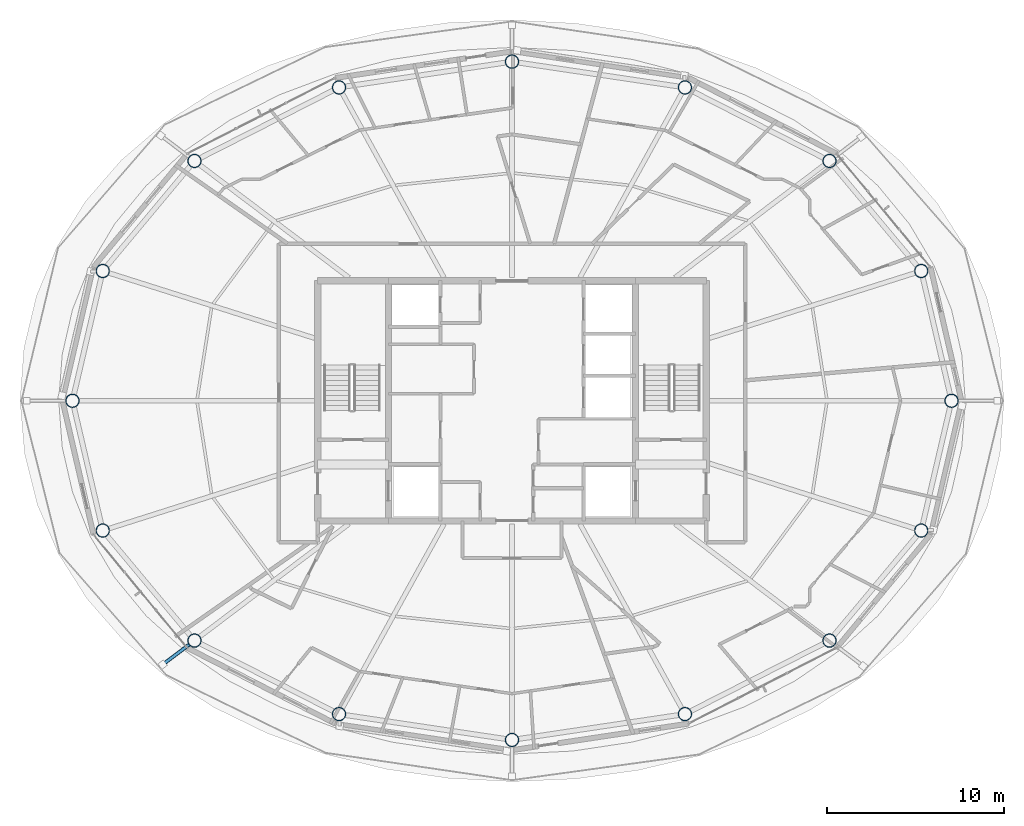
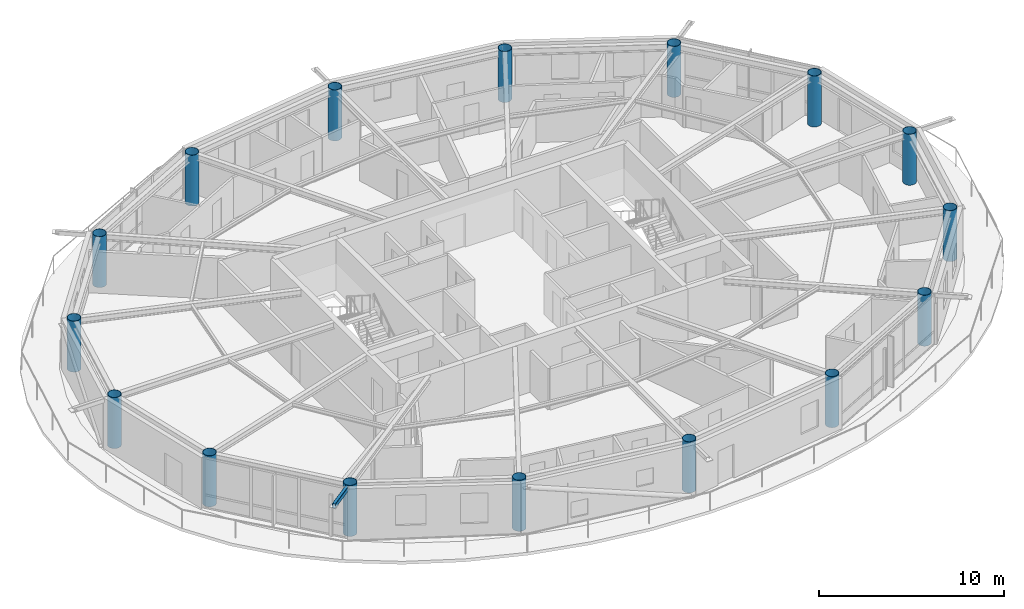
# One storey, part 1 of 23: 16 columns, 1 member.
"""IFC4 building model written with IfcOpenShell, lengths in metres."""

from ifc_helpers import new_model, si_unit, direction, frame, origin, origin_2d, place, context, subcontext, project, spatial, hollow_rectangle, hollow_circle, extrude, material, material_profile, profile_set, type_object, element, save


model = new_model("IFC4")

# Units and contexts
model_context = context("Model", 3, precision=1e-05, world=origin(), true_north=direction((0.0, 1.0)))
body_context = subcontext(model_context, "Body", "Model", "MODEL_VIEW")
ifc_project = project(units=[si_unit("LENGTHUNIT", "METRE"), si_unit("AREAUNIT", "SQUARE_METRE"), si_unit("VOLUMEUNIT", "CUBIC_METRE"), si_unit("PLANEANGLEUNIT", "RADIAN"), si_unit("MASSUNIT", "GRAM", prefix="KILO")], contexts=[model_context])

# Site, building, storey
site_placement = place(None, origin())
site = spatial("IfcSite", under=ifc_project, at=site_placement, CompositionType="ELEMENT")
building_placement = place(site_placement, origin())
building = spatial("IfcBuilding", under=site, at=building_placement, Name="Sarneth Arch Tower", CompositionType="ELEMENT")
storey_placement = place(building_placement, frame((0.0, 0.0, 276.60009765625)))
storey = spatial("IfcBuildingStorey", under=building, at=storey_placement, Name="L71", CompositionType="ELEMENT", Elevation=276.60009765625)

# Columns
ifc_material_1 = material(Name="Steel S355", Category="steel")
ifc_material_profile_1 = material_profile(ifc_material_1, hollow_circle(Radius=0.381103515625, WallThickness=0.02490234375, at=origin_2d()), Name="CHS762x25")
ifc_profile_set_1 = profile_set([ifc_material_profile_1], Name="Steel S355")
column_type = type_object("IfcColumnType", Name="COL-MEGA-762", PredefinedType="COLUMN", material=ifc_profile_set_1)
for number, where, z_axis, x_axis, name in (
    (1, (72.88330078125, 42.0, 0.0), (0.0, 0.0, 1.0), (1.0, 0.0, 0.0), "L71 Perimeter mega-column M01"),
    (2, (71.1689453125, 49.347412109375, 0.0), (0.0, 0.0, 1.0), (1.0, 0.0, 0.0), "L71 Perimeter mega-column M02"),
    (3, (65.975341796875, 55.576416015625, 0.0), (0.0, 0.0, 1.0), (1.0, 0.0, 0.0), "L71 Perimeter mega-column M03"),
    (4, (57.790771484375, 59.738525390625, 0.0), (0.0, 0.0, 1.0), (1.0, 0.0, 0.0), "L71 Perimeter mega-column M04"),
    (5, (48.0, 61.199951171875, 0.0), (0.0, 0.0, 1.0), (1.0, 0.0, 0.0), "L71 Perimeter mega-column M05"),
    (6, (38.209228515625, 59.738525390625, 0.0), (0.0, 0.0, 1.0), (1.0, 0.0, 0.0), "L71 Perimeter mega-column M06"),
    (7, (30.024658203125, 55.576416015625, 0.0), (0.0, 0.0, 1.0), (1.0, 0.0, 0.0), "L71 Perimeter mega-column M07"),
    (8, (24.8310546875, 49.347412109375, 0.0), (0.0, 0.0, 1.0), (1.0, 0.0, 0.0), "L71 Perimeter mega-column M08"),
    (9, (23.11669921875, 42.0, 0.0), (0.0, 0.0, 1.0), (1.0, 0.0, 0.0), "L71 Perimeter mega-column M09"),
    (10, (24.8310546875, 34.652587890625, 0.0), (0.0, 0.0, 1.0), (1.0, 0.0, 0.0), "L71 Perimeter mega-column M10"),
    (11, (30.024658203125, 28.423583984375, 0.0), (0.0, 0.0, 1.0), (1.0, 0.0, 0.0), "L71 Perimeter mega-column M11"),
    (12, (38.209228515625, 24.261474609375, 0.0), (0.0, 0.0, 1.0), (1.0, 0.0, 0.0), "L71 Perimeter mega-column M12"),
    (13, (48.0, 22.800048828125, 0.0), (0.0, 0.0, 1.0), (1.0, 0.0, 0.0), "L71 Perimeter mega-column M13"),
    (14, (57.790771484375, 24.261474609375, 0.0), (0.0, 0.0, 1.0), (1.0, 0.0, 0.0), "L71 Perimeter mega-column M14"),
    (15, (65.975341796875, 28.423583984375, 0.0), (0.0, 0.0, 1.0), (1.0, 0.0, 0.0), "L71 Perimeter mega-column M15"),
    (16, (71.1689453125, 34.652587890625, 0.0), (0.0, 0.0, 1.0), (1.0, 0.0, 0.0), "L71 Perimeter mega-column M16"),
):
    element("IfcColumn", number, at=place(storey_placement, frame(where, z_axis=z_axis, x_axis=x_axis)), inside=storey, type_object=column_type, Name=name, PredefinedType="COLUMN", context=body_context, shape_type="SweptSolid", body=[
        extrude(hollow_circle(Radius=0.381103515625, WallThickness=0.02490234375, at=origin_2d()), origin(), (0.0, 0.0, 1.0), 3.369873046875),
    ])

# Member
ifc_material_2 = material(Name="Steel S355", Category="steel")
ifc_material_profile_2 = material_profile(ifc_material_2, hollow_rectangle(XDim=0.199951171875, YDim=0.300048828125, WallThickness=0.012451171875, InnerFilletRadius=0.018798828125, OuterFilletRadius=0.03125, at=origin_2d()), Name="RHS300x200x12.5")
ifc_profile_set_2 = profile_set([ifc_material_profile_2], Name="Steel S355")
member_type = type_object("IfcMemberType", Name="MEM-CANT-STRUT", PredefinedType="STRUT", material=ifc_profile_set_2)
member_placement = place(storey_placement, frame((29.720703125, 28.19384765625, 3.2099609375), z_axis=(-0.797997970259, -0.602660135949, 0.0), x_axis=(0.602660135949, -0.797997970259, 0.0)))
element("IfcMember", 17, at=member_placement, inside=storey, type_object=member_type, Name="L71 Balcony cantilever bracket 11", PredefinedType="STRUT", context=body_context, shape_type="SweptSolid", body=[
    extrude(hollow_rectangle(XDim=0.199951171875, YDim=0.300048828125, WallThickness=0.012451171875, InnerFilletRadius=0.018798828125, OuterFilletRadius=0.03125, at=origin_2d()), origin(), (0.0, 0.0, 1.0), 1.877197265625),
])

save(model, "model.ifc")
